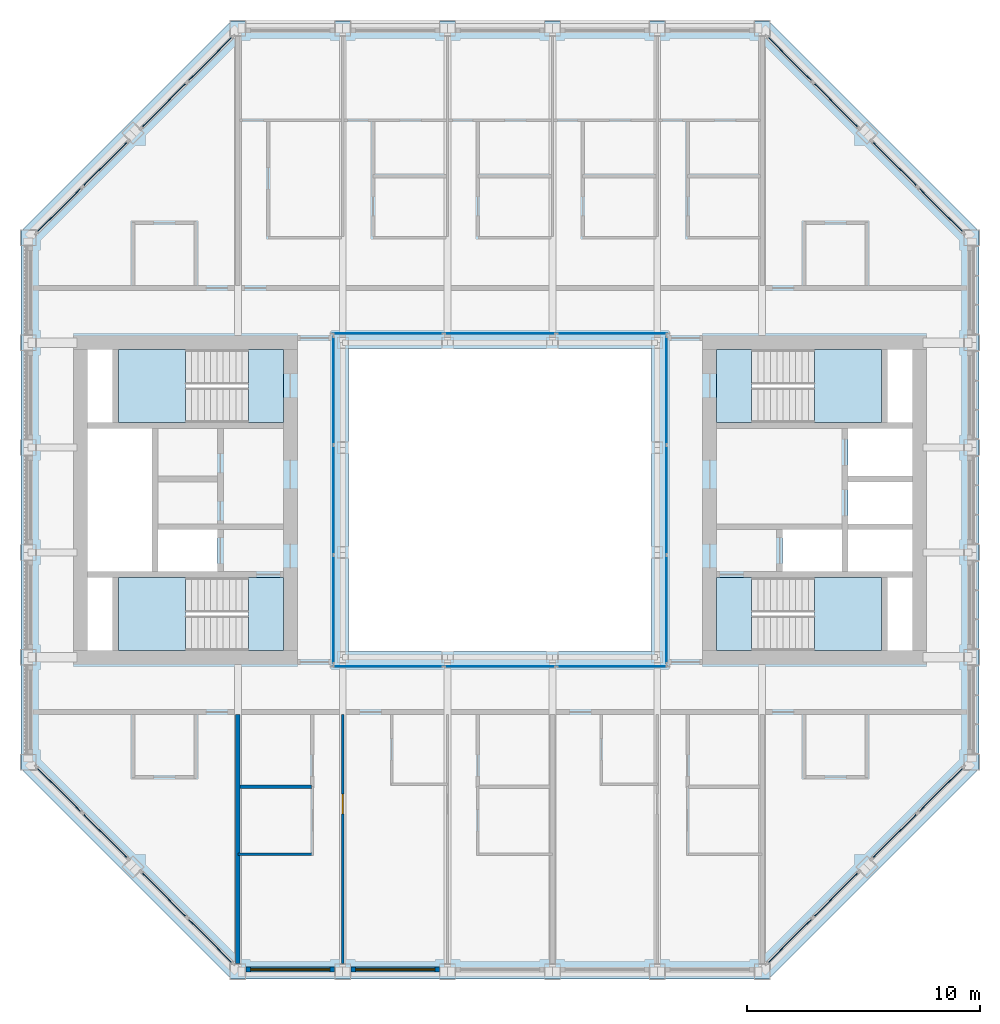
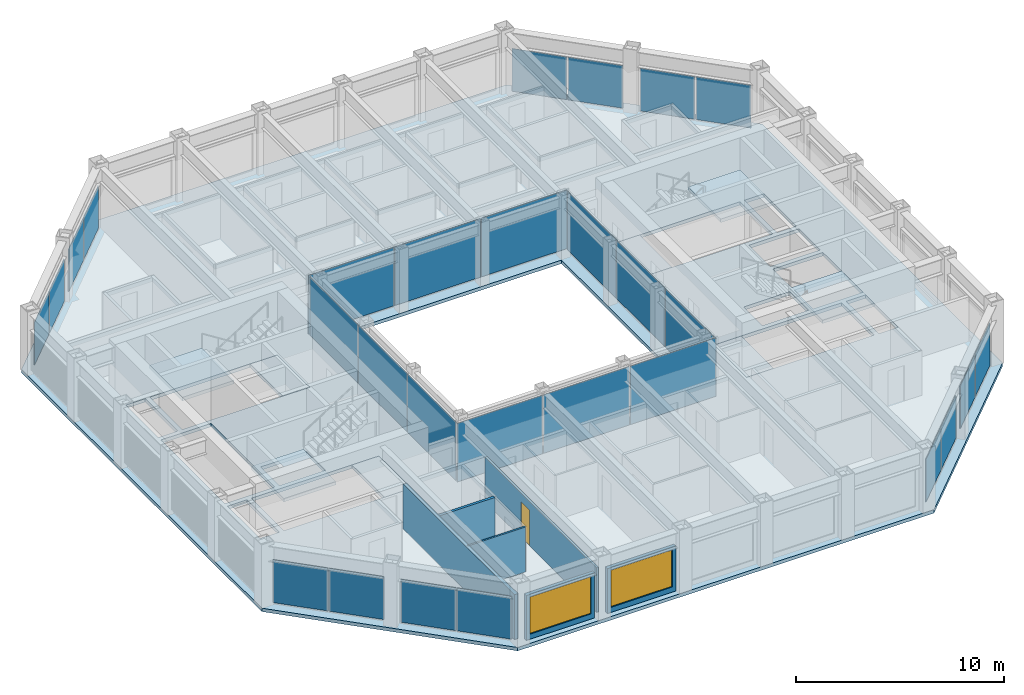
# One storey, part 8 of 18: 28 plates, 9 slabs, 6 walls, 2 windows, 1 door, 3 openings, 16 elements without a shape of their own.
"""IFC4 building model written with IfcOpenShell, lengths in metres."""

from ifc_helpers import new_model, si_unit, direction, frame, frame_2d, origin, origin_2d, place, context, subcontext, project, spatial, polyline, rectangle, outline, extrude, material, layer, layer_set, type_object, element, fill, aggregate, save


model = new_model("IFC4")

# Units and contexts
model_context = context("Model", 3, precision=1e-05, world=origin(), true_north=direction((0.0, 1.0)))
body_context = subcontext(model_context, "Body", "Model", "MODEL_VIEW")
ifc_project = project(units=[si_unit("LENGTHUNIT", "METRE"), si_unit("AREAUNIT", "SQUARE_METRE"), si_unit("VOLUMEUNIT", "CUBIC_METRE"), si_unit("PLANEANGLEUNIT", "RADIAN"), si_unit("MASSUNIT", "GRAM", prefix="KILO")], contexts=[model_context])

# Site, building, storey
site_placement = place(None, origin())
site = spatial("IfcSite", under=ifc_project, at=site_placement, CompositionType="ELEMENT")
building_placement = place(site_placement, origin())
building = spatial("IfcBuilding", under=site, at=building_placement, Name="Msasa Ring Tower", CompositionType="ELEMENT")
storey_placement = place(building_placement, frame((0.0, 0.0, 249.550048828125)))
storey = spatial("IfcBuildingStorey", under=building, at=storey_placement, Name="L65", CompositionType="ELEMENT", Elevation=249.550048828125)

# Curtain wall, plates
ifc_material_1 = material(Name="Aluminium curtain wall with clear glass", Category="aluminium")
curtain_wall_type_1 = type_object("IfcCurtainWallType", Name="CW-C CHAMFER CORNER CURTAIN WALL", PredefinedType="NOTDEFINED", material=ifc_material_1)
curtain_wall_1_placement = place(storey_placement, origin())
curtain_wall_1 = element("IfcCurtainWall", 1, at=curtain_wall_1_placement, inside=storey, type_object=curtain_wall_type_1, Name="Chamfer corner curtain wall SE L65", PredefinedType="NOTDEFINED")
ifc_material_2 = material(Name="Clear laminated insulating glass unit", Category="glass")
ifc_layer_1 = layer(ifc_material_2, 0.031982421875)
ifc_layer_set_1 = layer_set([ifc_layer_1], Name="CW-C GLASS PANEL 32")
plate_type_1 = type_object("IfcPlateType", Name="CW-C GLASS PANEL 32", PredefinedType="CURTAIN_PANEL", material=ifc_layer_set_1)
plate_1_placement = place(storey_placement, frame((12.44140625, -18.917236328125, 0.06494140625), z_axis=(0.0, 0.0, 1.0), x_axis=(0.707106781187, 0.707106781187, 0.0)))
plate_1 = element("IfcPlate", 2, at=plate_1_placement, type_object=plate_type_1, Name="CW-C panel 1.1", PredefinedType="CURTAIN_PANEL", context=body_context, shape_type="SweptSolid", body=[
    extrude(rectangle(XDim=2.7294921875, YDim=0.031982421875, at=origin_2d()), origin(), (0.0, 0.0, 1.0), 2.4990234375),
])
plate_2_placement = place(storey_placement, frame((14.417236328125, -16.94140625, 0.06494140625), z_axis=(0.0, 0.0, 1.0), x_axis=(0.707106781187, 0.707106781187, 0.0)))
plate_2 = element("IfcPlate", 3, at=plate_2_placement, type_object=plate_type_1, Name="CW-C panel 2.1", PredefinedType="CURTAIN_PANEL", context=body_context, shape_type="SweptSolid", body=[
    extrude(rectangle(XDim=2.7294921875, YDim=0.031982421875, at=origin_2d()), origin(), (0.0, 0.0, 1.0), 2.4990234375),
])
aggregate(curtain_wall_1, [plate_1, plate_2])

curtain_wall_2_placement = place(storey_placement, origin())
curtain_wall_2 = element("IfcCurtainWall", 4, at=curtain_wall_2_placement, inside=storey, type_object=curtain_wall_type_1, Name="Chamfer corner curtain wall SE L65", PredefinedType="NOTDEFINED")
plate_3_placement = place(storey_placement, frame((16.94140625, -14.417236328125, 0.06494140625), z_axis=(0.0, 0.0, 1.0), x_axis=(0.707106781187, 0.707106781187, 0.0)))
plate_3 = element("IfcPlate", 5, at=plate_3_placement, type_object=plate_type_1, Name="CW-C panel 1.1", PredefinedType="CURTAIN_PANEL", context=body_context, shape_type="SweptSolid", body=[
    extrude(rectangle(XDim=2.7294921875, YDim=0.031982421875, at=origin_2d()), origin(), (0.0, 0.0, 1.0), 2.4990234375),
])
plate_4_placement = place(storey_placement, frame((18.917236328125, -12.44140625, 0.06494140625), z_axis=(0.0, 0.0, 1.0), x_axis=(0.707106781187, 0.707106781187, 0.0)))
plate_4 = element("IfcPlate", 6, at=plate_4_placement, type_object=plate_type_1, Name="CW-C panel 2.1", PredefinedType="CURTAIN_PANEL", context=body_context, shape_type="SweptSolid", body=[
    extrude(rectangle(XDim=2.7294921875, YDim=0.031982421875, at=origin_2d()), origin(), (0.0, 0.0, 1.0), 2.4990234375),
])
aggregate(curtain_wall_2, [plate_3, plate_4])

curtain_wall_3_placement = place(storey_placement, origin())
curtain_wall_3 = element("IfcCurtainWall", 7, at=curtain_wall_3_placement, inside=storey, type_object=curtain_wall_type_1, Name="Chamfer corner curtain wall NE L65", PredefinedType="NOTDEFINED")
plate_5_placement = place(storey_placement, frame((14.417236328125, 16.94140625, 0.06494140625), z_axis=(0.0, 0.0, 1.0), x_axis=(-0.707106781187, 0.707106781187, 0.0)))
plate_5 = element("IfcPlate", 8, at=plate_5_placement, type_object=plate_type_1, Name="CW-C panel 1.1", PredefinedType="CURTAIN_PANEL", context=body_context, shape_type="SweptSolid", body=[
    extrude(rectangle(XDim=2.7294921875, YDim=0.031982421875, at=origin_2d()), origin(), (0.0, 0.0, 1.0), 2.4990234375),
])
plate_6_placement = place(storey_placement, frame((12.44140625, 18.917236328125, 0.06494140625), z_axis=(0.0, 0.0, 1.0), x_axis=(-0.707106781187, 0.707106781187, 0.0)))
plate_6 = element("IfcPlate", 9, at=plate_6_placement, type_object=plate_type_1, Name="CW-C panel 2.1", PredefinedType="CURTAIN_PANEL", context=body_context, shape_type="SweptSolid", body=[
    extrude(rectangle(XDim=2.7294921875, YDim=0.031982421875, at=origin_2d()), origin(), (0.0, 0.0, 1.0), 2.4990234375),
])
aggregate(curtain_wall_3, [plate_5, plate_6])

curtain_wall_4_placement = place(storey_placement, origin())
curtain_wall_4 = element("IfcCurtainWall", 10, at=curtain_wall_4_placement, inside=storey, type_object=curtain_wall_type_1, Name="Chamfer corner curtain wall NE L65", PredefinedType="NOTDEFINED")
plate_7_placement = place(storey_placement, frame((18.917236328125, 12.44140625, 0.06494140625), z_axis=(0.0, 0.0, 1.0), x_axis=(-0.707106781187, 0.707106781187, 0.0)))
plate_7 = element("IfcPlate", 11, at=plate_7_placement, type_object=plate_type_1, Name="CW-C panel 1.1", PredefinedType="CURTAIN_PANEL", context=body_context, shape_type="SweptSolid", body=[
    extrude(rectangle(XDim=2.7294921875, YDim=0.031982421875, at=origin_2d()), origin(), (0.0, 0.0, 1.0), 2.4990234375),
])
plate_8_placement = place(storey_placement, frame((16.94140625, 14.417236328125, 0.06494140625), z_axis=(0.0, 0.0, 1.0), x_axis=(-0.707106781187, 0.707106781187, 0.0)))
plate_8 = element("IfcPlate", 12, at=plate_8_placement, type_object=plate_type_1, Name="CW-C panel 2.1", PredefinedType="CURTAIN_PANEL", context=body_context, shape_type="SweptSolid", body=[
    extrude(rectangle(XDim=2.7294921875, YDim=0.031982421875, at=origin_2d()), origin(), (0.0, 0.0, 1.0), 2.4990234375),
])
aggregate(curtain_wall_4, [plate_7, plate_8])

curtain_wall_5_placement = place(storey_placement, origin())
curtain_wall_5 = element("IfcCurtainWall", 13, at=curtain_wall_5_placement, inside=storey, type_object=curtain_wall_type_1, Name="Chamfer corner curtain wall NW L65", PredefinedType="NOTDEFINED")
plate_9_placement = place(storey_placement, frame((-16.94140625, 14.417236328125, 0.06494140625), z_axis=(0.0, 0.0, 1.0), x_axis=(-0.707106781187, -0.707106781187, 0.0)))
plate_9 = element("IfcPlate", 14, at=plate_9_placement, type_object=plate_type_1, Name="CW-C panel 1.1", PredefinedType="CURTAIN_PANEL", context=body_context, shape_type="SweptSolid", body=[
    extrude(rectangle(XDim=2.7294921875, YDim=0.031982421875, at=origin_2d()), origin(), (0.0, 0.0, 1.0), 2.4990234375),
])
plate_10_placement = place(storey_placement, frame((-18.917236328125, 12.44140625, 0.06494140625), z_axis=(0.0, 0.0, 1.0), x_axis=(-0.707106781187, -0.707106781187, 0.0)))
plate_10 = element("IfcPlate", 15, at=plate_10_placement, type_object=plate_type_1, Name="CW-C panel 2.1", PredefinedType="CURTAIN_PANEL", context=body_context, shape_type="SweptSolid", body=[
    extrude(rectangle(XDim=2.7294921875, YDim=0.031982421875, at=origin_2d()), origin(), (0.0, 0.0, 1.0), 2.4990234375),
])
aggregate(curtain_wall_5, [plate_9, plate_10])

curtain_wall_6_placement = place(storey_placement, origin())
curtain_wall_6 = element("IfcCurtainWall", 16, at=curtain_wall_6_placement, inside=storey, type_object=curtain_wall_type_1, Name="Chamfer corner curtain wall NW L65", PredefinedType="NOTDEFINED")
plate_11_placement = place(storey_placement, frame((-12.44140625, 18.917236328125, 0.06494140625), z_axis=(0.0, 0.0, 1.0), x_axis=(-0.707106781187, -0.707106781187, 0.0)))
plate_11 = element("IfcPlate", 17, at=plate_11_placement, type_object=plate_type_1, Name="CW-C panel 1.1", PredefinedType="CURTAIN_PANEL", context=body_context, shape_type="SweptSolid", body=[
    extrude(rectangle(XDim=2.7294921875, YDim=0.031982421875, at=origin_2d()), origin(), (0.0, 0.0, 1.0), 2.4990234375),
])
plate_12_placement = place(storey_placement, frame((-14.417236328125, 16.94140625, 0.06494140625), z_axis=(0.0, 0.0, 1.0), x_axis=(-0.707106781187, -0.707106781187, 0.0)))
plate_12 = element("IfcPlate", 18, at=plate_12_placement, type_object=plate_type_1, Name="CW-C panel 2.1", PredefinedType="CURTAIN_PANEL", context=body_context, shape_type="SweptSolid", body=[
    extrude(rectangle(XDim=2.7294921875, YDim=0.031982421875, at=origin_2d()), origin(), (0.0, 0.0, 1.0), 2.4990234375),
])
aggregate(curtain_wall_6, [plate_11, plate_12])

curtain_wall_7_placement = place(storey_placement, origin())
curtain_wall_7 = element("IfcCurtainWall", 19, at=curtain_wall_7_placement, inside=storey, type_object=curtain_wall_type_1, Name="Chamfer corner curtain wall SW L65", PredefinedType="NOTDEFINED")
plate_13_placement = place(storey_placement, frame((-18.917236328125, -12.44140625, 0.06494140625), z_axis=(0.0, 0.0, 1.0), x_axis=(0.707106781187, -0.707106781187, 0.0)))
plate_13 = element("IfcPlate", 20, at=plate_13_placement, type_object=plate_type_1, Name="CW-C panel 1.1", PredefinedType="CURTAIN_PANEL", context=body_context, shape_type="SweptSolid", body=[
    extrude(rectangle(XDim=2.7294921875, YDim=0.031982421875, at=origin_2d()), origin(), (0.0, 0.0, 1.0), 2.4990234375),
])
plate_14_placement = place(storey_placement, frame((-16.94140625, -14.417236328125, 0.06494140625), z_axis=(0.0, 0.0, 1.0), x_axis=(0.707106781187, -0.707106781187, 0.0)))
plate_14 = element("IfcPlate", 21, at=plate_14_placement, type_object=plate_type_1, Name="CW-C panel 2.1", PredefinedType="CURTAIN_PANEL", context=body_context, shape_type="SweptSolid", body=[
    extrude(rectangle(XDim=2.7294921875, YDim=0.031982421875, at=origin_2d()), origin(), (0.0, 0.0, 1.0), 2.4990234375),
])
aggregate(curtain_wall_7, [plate_13, plate_14])

curtain_wall_8_placement = place(storey_placement, origin())
curtain_wall_8 = element("IfcCurtainWall", 22, at=curtain_wall_8_placement, inside=storey, type_object=curtain_wall_type_1, Name="Chamfer corner curtain wall SW L65", PredefinedType="NOTDEFINED")
plate_15_placement = place(storey_placement, frame((-14.417236328125, -16.94140625, 0.06494140625), z_axis=(0.0, 0.0, 1.0), x_axis=(0.707106781187, -0.707106781187, 0.0)))
plate_15 = element("IfcPlate", 23, at=plate_15_placement, type_object=plate_type_1, Name="CW-C panel 1.1", PredefinedType="CURTAIN_PANEL", context=body_context, shape_type="SweptSolid", body=[
    extrude(rectangle(XDim=2.7294921875, YDim=0.031982421875, at=origin_2d()), origin(), (0.0, 0.0, 1.0), 2.4990234375),
])
plate_16_placement = place(storey_placement, frame((-12.44140625, -18.917236328125, 0.06494140625), z_axis=(0.0, 0.0, 1.0), x_axis=(0.707106781187, -0.707106781187, 0.0)))
plate_16 = element("IfcPlate", 24, at=plate_16_placement, type_object=plate_type_1, Name="CW-C panel 2.1", PredefinedType="CURTAIN_PANEL", context=body_context, shape_type="SweptSolid", body=[
    extrude(rectangle(XDim=2.7294921875, YDim=0.031982421875, at=origin_2d()), origin(), (0.0, 0.0, 1.0), 2.4990234375),
])
aggregate(curtain_wall_8, [plate_15, plate_16])

ifc_material_3 = material(Name="Aluminium curtain wall with clear glass", Category="aluminium")
curtain_wall_type_2 = type_object("IfcCurtainWallType", Name="CW-W LIGHT WELL CURTAIN WALL", PredefinedType="NOTDEFINED", material=ifc_material_3)
curtain_wall_9_placement = place(storey_placement, origin())
curtain_wall_9 = element("IfcCurtainWall", 25, at=curtain_wall_9_placement, inside=storey, type_object=curtain_wall_type_2, Name="Light well curtain wall N L65", PredefinedType="NOTDEFINED")
ifc_material_4 = material(Name="Clear laminated insulating glass unit", Category="glass")
ifc_layer_2 = layer(ifc_material_4, 0.028076171875)
ifc_layer_set_2 = layer_set([ifc_layer_2], Name="CW-W GLASS PANEL 28")
plate_type_2 = type_object("IfcPlateType", Name="CW-W GLASS PANEL 28", PredefinedType="CURTAIN_PANEL", material=ifc_layer_set_2)
plate_17_placement = place(storey_placement, frame((-4.804931640625, 7.14990234375, 0.06005859375), z_axis=(0.0, 0.0, 1.0), x_axis=(1.0, 0.0, 0.0)))
plate_17 = element("IfcPlate", 26, at=plate_17_placement, type_object=plate_type_2, Name="CW-W panel 1.1", PredefinedType="CURTAIN_PANEL", context=body_context, shape_type="SweptSolid", body=[
    extrude(rectangle(XDim=4.72998046875, YDim=0.028076171875, at=origin_2d()), origin(), (0.0, 0.0, 1.0), 3.429931640625),
])
plate_18_placement = place(storey_placement, frame((0.0, 7.14990234375, 0.06005859375), z_axis=(0.0, 0.0, 1.0), x_axis=(1.0, 0.0, 0.0)))
plate_18 = element("IfcPlate", 27, at=plate_18_placement, type_object=plate_type_2, Name="CW-W panel 2.1", PredefinedType="CURTAIN_PANEL", context=body_context, shape_type="SweptSolid", body=[
    extrude(rectangle(XDim=4.760009765625, YDim=0.028076171875, at=origin_2d()), origin(), (0.0, 0.0, 1.0), 3.429931640625),
])
plate_19_placement = place(storey_placement, frame((4.804931640625, 7.14990234375, 0.06005859375), z_axis=(0.0, 0.0, 1.0), x_axis=(1.0, 0.0, 0.0)))
plate_19 = element("IfcPlate", 28, at=plate_19_placement, type_object=plate_type_2, Name="CW-W panel 3.1", PredefinedType="CURTAIN_PANEL", context=body_context, shape_type="SweptSolid", body=[
    extrude(rectangle(XDim=4.72998046875, YDim=0.028076171875, at=origin_2d()), origin(), (0.0, 0.0, 1.0), 3.429931640625),
])
aggregate(curtain_wall_9, [plate_17, plate_18, plate_19])

curtain_wall_10_placement = place(storey_placement, origin())
curtain_wall_10 = element("IfcCurtainWall", 29, at=curtain_wall_10_placement, inside=storey, type_object=curtain_wall_type_2, Name="Light well curtain wall S L65", PredefinedType="NOTDEFINED")
plate_20_placement = place(storey_placement, frame((-4.804931640625, -7.14990234375, 0.06005859375), z_axis=(0.0, 0.0, 1.0), x_axis=(1.0, 0.0, 0.0)))
plate_20 = element("IfcPlate", 30, at=plate_20_placement, type_object=plate_type_2, Name="CW-W panel 1.1", PredefinedType="CURTAIN_PANEL", context=body_context, shape_type="SweptSolid", body=[
    extrude(rectangle(XDim=4.72998046875, YDim=0.028076171875, at=origin_2d()), origin(), (0.0, 0.0, 1.0), 3.429931640625),
])
plate_21_placement = place(storey_placement, frame((0.0, -7.14990234375, 0.06005859375), z_axis=(0.0, 0.0, 1.0), x_axis=(1.0, 0.0, 0.0)))
plate_21 = element("IfcPlate", 31, at=plate_21_placement, type_object=plate_type_2, Name="CW-W panel 2.1", PredefinedType="CURTAIN_PANEL", context=body_context, shape_type="SweptSolid", body=[
    extrude(rectangle(XDim=4.760009765625, YDim=0.028076171875, at=origin_2d()), origin(), (0.0, 0.0, 1.0), 3.429931640625),
])
plate_22_placement = place(storey_placement, frame((4.804931640625, -7.14990234375, 0.06005859375), z_axis=(0.0, 0.0, 1.0), x_axis=(1.0, 0.0, 0.0)))
plate_22 = element("IfcPlate", 32, at=plate_22_placement, type_object=plate_type_2, Name="CW-W panel 3.1", PredefinedType="CURTAIN_PANEL", context=body_context, shape_type="SweptSolid", body=[
    extrude(rectangle(XDim=4.72998046875, YDim=0.028076171875, at=origin_2d()), origin(), (0.0, 0.0, 1.0), 3.429931640625),
])
aggregate(curtain_wall_10, [plate_20, plate_21, plate_22])

curtain_wall_11_placement = place(storey_placement, origin())
curtain_wall_11 = element("IfcCurtainWall", 33, at=curtain_wall_11_placement, inside=storey, type_object=curtain_wall_type_2, Name="Light well curtain wall E L65", PredefinedType="NOTDEFINED")
plate_23_placement = place(storey_placement, frame((7.14990234375, -4.6982421875, 0.06005859375), z_axis=(0.0, 0.0, 1.0), x_axis=(0.0, 1.0, 0.0)))
plate_23 = element("IfcPlate", 34, at=plate_23_placement, type_object=plate_type_2, Name="CW-W panel 1.1", PredefinedType="CURTAIN_PANEL", context=body_context, shape_type="SweptSolid", body=[
    extrude(rectangle(XDim=4.623291015625, YDim=0.028076171875, at=origin_2d()), origin(), (0.0, 0.0, 1.0), 3.429931640625),
])
plate_24_placement = place(storey_placement, frame((7.14990234375, 0.0, 0.06005859375), z_axis=(0.0, 0.0, 1.0), x_axis=(0.0, 1.0, 0.0)))
plate_24 = element("IfcPlate", 35, at=plate_24_placement, type_object=plate_type_2, Name="CW-W panel 2.1", PredefinedType="CURTAIN_PANEL", context=body_context, shape_type="SweptSolid", body=[
    extrude(rectangle(XDim=4.6533203125, YDim=0.028076171875, at=origin_2d()), origin(), (0.0, 0.0, 1.0), 3.429931640625),
])
plate_25_placement = place(storey_placement, frame((7.14990234375, 4.6982421875, 0.06005859375), z_axis=(0.0, 0.0, 1.0), x_axis=(0.0, 1.0, 0.0)))
plate_25 = element("IfcPlate", 36, at=plate_25_placement, type_object=plate_type_2, Name="CW-W panel 3.1", PredefinedType="CURTAIN_PANEL", context=body_context, shape_type="SweptSolid", body=[
    extrude(rectangle(XDim=4.623291015625, YDim=0.028076171875, at=origin_2d()), origin(), (0.0, 0.0, 1.0), 3.429931640625),
])
aggregate(curtain_wall_11, [plate_23, plate_24, plate_25])

curtain_wall_12_placement = place(storey_placement, origin())
curtain_wall_12 = element("IfcCurtainWall", 37, at=curtain_wall_12_placement, inside=storey, type_object=curtain_wall_type_2, Name="Light well curtain wall W L65", PredefinedType="NOTDEFINED")
plate_26_placement = place(storey_placement, frame((-7.14990234375, -4.6982421875, 0.06005859375), z_axis=(0.0, 0.0, 1.0), x_axis=(0.0, 1.0, 0.0)))
plate_26 = element("IfcPlate", 38, at=plate_26_placement, type_object=plate_type_2, Name="CW-W panel 1.1", PredefinedType="CURTAIN_PANEL", context=body_context, shape_type="SweptSolid", body=[
    extrude(rectangle(XDim=4.623291015625, YDim=0.028076171875, at=origin_2d()), origin(), (0.0, 0.0, 1.0), 3.429931640625),
])
plate_27_placement = place(storey_placement, frame((-7.14990234375, 0.0, 0.06005859375), z_axis=(0.0, 0.0, 1.0), x_axis=(0.0, 1.0, 0.0)))
plate_27 = element("IfcPlate", 39, at=plate_27_placement, type_object=plate_type_2, Name="CW-W panel 2.1", PredefinedType="CURTAIN_PANEL", context=body_context, shape_type="SweptSolid", body=[
    extrude(rectangle(XDim=4.6533203125, YDim=0.028076171875, at=origin_2d()), origin(), (0.0, 0.0, 1.0), 3.429931640625),
])
plate_28_placement = place(storey_placement, frame((-7.14990234375, 4.6982421875, 0.06005859375), z_axis=(0.0, 0.0, 1.0), x_axis=(0.0, 1.0, 0.0)))
plate_28 = element("IfcPlate", 40, at=plate_28_placement, type_object=plate_type_2, Name="CW-W panel 3.1", PredefinedType="CURTAIN_PANEL", context=body_context, shape_type="SweptSolid", body=[
    extrude(rectangle(XDim=4.623291015625, YDim=0.028076171875, at=origin_2d()), origin(), (0.0, 0.0, 1.0), 3.429931640625),
])
aggregate(curtain_wall_12, [plate_26, plate_27, plate_28])

# Stair, slabs
ifc_material_5 = material(Name="Concrete C40/50", Category="concrete")
stair_type = type_object("IfcStairType", Name="STC CORE STAIR 22 RISERS 170.5", PredefinedType="HALF_TURN_STAIR", material=ifc_material_5)
stair_1_placement = place(storey_placement, origin())
stair_1 = element("IfcStair", 41, at=stair_1_placement, inside=storey, type_object=stair_type, Name="Core stair SEA L65", PredefinedType="HALF_TURN_STAIR")
ifc_material_6 = material(Name="Concrete C40/50", Category="concrete")
ifc_layer_3 = layer(ifc_material_6, 0.199951171875)
ifc_layer_set_3 = layer_set([ifc_layer_3], Name="LD1 CORE STAIR LANDING 200")
slab_type_1 = type_object("IfcSlabType", Name="LD1 CORE STAIR LANDING 200", PredefinedType="LANDING", material=ifc_layer_set_3)
slab_1_placement = place(storey_placement, frame((0.0, 0.0, -0.199951171875)))
slab_1 = element("IfcSlab", 42, at=slab_1_placement, type_object=slab_type_1, Name="SEA landing 1", PredefinedType="LANDING", context=body_context, shape_type="SweptSolid", body=[
    extrude(outline(polyline([(9.300048828125, -6.449951171875), (10.800048828125, -6.449951171875), (10.800048828125, -3.324951171875), (9.300048828125, -3.324951171875), (9.300048828125, -6.449951171875)])), origin(), (0.0, 0.0, 1.0), 0.199951171875),
])
slab_2_placement = place(storey_placement, frame((0.0, 0.0, 1.675048828125)))
slab_2 = element("IfcSlab", 43, at=slab_2_placement, type_object=slab_type_1, Name="SEA landing 2", PredefinedType="LANDING", context=body_context, shape_type="SweptSolid", body=[
    extrude(outline(polyline([(13.5, -6.449951171875), (16.375, -6.449951171875), (16.375, -3.324951171875), (13.5, -3.324951171875), (13.5, -6.449951171875)])), origin(), (0.0, 0.0, 1.0), 0.199951171875),
])
aggregate(stair_1, [slab_1, slab_2])

stair_2_placement = place(storey_placement, origin())
stair_2 = element("IfcStair", 44, at=stair_2_placement, inside=storey, type_object=stair_type, Name="Core stair SEB L65", PredefinedType="HALF_TURN_STAIR")
slab_3_placement = place(storey_placement, frame((0.0, 0.0, -0.199951171875)))
slab_3 = element("IfcSlab", 45, at=slab_3_placement, type_object=slab_type_1, Name="SEB landing 1", PredefinedType="LANDING", context=body_context, shape_type="SweptSolid", body=[
    extrude(outline(polyline([(9.300048828125, 3.324951171875), (10.800048828125, 3.324951171875), (10.800048828125, 6.449951171875), (9.300048828125, 6.449951171875), (9.300048828125, 3.324951171875)])), origin(), (0.0, 0.0, 1.0), 0.199951171875),
])
slab_4_placement = place(storey_placement, frame((0.0, 0.0, 1.675048828125)))
slab_4 = element("IfcSlab", 46, at=slab_4_placement, type_object=slab_type_1, Name="SEB landing 2", PredefinedType="LANDING", context=body_context, shape_type="SweptSolid", body=[
    extrude(outline(polyline([(13.5, 3.324951171875), (16.375, 3.324951171875), (16.375, 6.449951171875), (13.5, 6.449951171875), (13.5, 3.324951171875)])), origin(), (0.0, 0.0, 1.0), 0.199951171875),
])
aggregate(stair_2, [slab_3, slab_4])

stair_3_placement = place(storey_placement, origin())
stair_3 = element("IfcStair", 47, at=stair_3_placement, inside=storey, type_object=stair_type, Name="Core stair SWA L65", PredefinedType="HALF_TURN_STAIR")
slab_5_placement = place(storey_placement, frame((0.0, 0.0, -0.199951171875)))
slab_5 = element("IfcSlab", 48, at=slab_5_placement, type_object=slab_type_1, Name="SWA landing 1", PredefinedType="LANDING", context=body_context, shape_type="SweptSolid", body=[
    extrude(outline(polyline([(-10.800048828125, -6.449951171875), (-9.300048828125, -6.449951171875), (-9.300048828125, -3.324951171875), (-10.800048828125, -3.324951171875), (-10.800048828125, -6.449951171875)])), origin(), (0.0, 0.0, 1.0), 0.199951171875),
])
slab_6_placement = place(storey_placement, frame((0.0, 0.0, 1.675048828125)))
slab_6 = element("IfcSlab", 49, at=slab_6_placement, type_object=slab_type_1, Name="SWA landing 2", PredefinedType="LANDING", context=body_context, shape_type="SweptSolid", body=[
    extrude(outline(polyline([(-16.375, -6.449951171875), (-13.5, -6.449951171875), (-13.5, -3.324951171875), (-16.375, -3.324951171875), (-16.375, -6.449951171875)])), origin(), (0.0, 0.0, 1.0), 0.199951171875),
])
aggregate(stair_3, [slab_5, slab_6])

stair_4_placement = place(storey_placement, origin())
stair_4 = element("IfcStair", 50, at=stair_4_placement, inside=storey, type_object=stair_type, Name="Core stair SWB L65", PredefinedType="HALF_TURN_STAIR")
slab_7_placement = place(storey_placement, frame((0.0, 0.0, -0.199951171875)))
slab_7 = element("IfcSlab", 51, at=slab_7_placement, type_object=slab_type_1, Name="SWB landing 1", PredefinedType="LANDING", context=body_context, shape_type="SweptSolid", body=[
    extrude(outline(polyline([(-10.800048828125, 3.324951171875), (-9.300048828125, 3.324951171875), (-9.300048828125, 6.449951171875), (-10.800048828125, 6.449951171875), (-10.800048828125, 3.324951171875)])), origin(), (0.0, 0.0, 1.0), 0.199951171875),
])
slab_8_placement = place(storey_placement, frame((0.0, 0.0, 1.675048828125)))
slab_8 = element("IfcSlab", 52, at=slab_8_placement, type_object=slab_type_1, Name="SWB landing 2", PredefinedType="LANDING", context=body_context, shape_type="SweptSolid", body=[
    extrude(outline(polyline([(-16.375, 3.324951171875), (-13.5, 3.324951171875), (-13.5, 6.449951171875), (-16.375, 6.449951171875), (-16.375, 3.324951171875)])), origin(), (0.0, 0.0, 1.0), 0.199951171875),
])
aggregate(stair_4, [slab_7, slab_8])

# Slab
ifc_material_7 = material(Name="Concrete C40/50", Category="concrete")
ifc_layer_4 = layer(ifc_material_7, 0.199951171875)
ifc_layer_set_4 = layer_set([ifc_layer_4], Name="S8 SUITE FLOOR 200")
slab_type_2 = type_object("IfcSlabType", Name="S8 SUITE FLOOR 200", PredefinedType="FLOOR", material=ifc_layer_set_4)
slab_9_placement = place(storey_placement, frame((0.0, 0.0, -0.199951171875)))
element("IfcSlab", 53, at=slab_9_placement, inside=storey, type_object=slab_type_2, Name="Floor slab L65", PredefinedType="FLOOR", context=body_context, shape_type="SweptSolid", body=[
    extrude(outline(polyline([(-11.550048828125, -20.550048828125), (11.550048828125, -20.550048828125), (20.550048828125, -11.550048828125), (20.550048828125, 11.550048828125), (11.550048828125, 20.550048828125), (-11.550048828125, 20.550048828125), (-20.550048828125, 11.550048828125), (-20.550048828125, -11.550048828125), (-11.550048828125, -20.550048828125)]), holes=[polyline([(-6.5, -6.5), (6.5, -6.5), (6.5, 6.5), (-6.5, 6.5), (-6.5, -6.5)]), polyline([(9.300048828125, -6.449951171875), (16.375, -6.449951171875), (16.375, -3.324951171875), (9.300048828125, -3.324951171875), (9.300048828125, -6.449951171875)]), polyline([(9.300048828125, 3.324951171875), (16.375, 3.324951171875), (16.375, 6.449951171875), (9.300048828125, 6.449951171875), (9.300048828125, 3.324951171875)]), polyline([(12.125, -3.074951171875), (14.675048828125, -3.074951171875), (14.675048828125, -1.27490234375), (12.125, -1.27490234375), (12.125, -3.074951171875)]), polyline([(16.625, -6.449951171875), (17.699951171875, -6.449951171875), (17.699951171875, -3.324951171875), (16.625, -3.324951171875), (16.625, -6.449951171875)]), polyline([(16.625, 3.324951171875), (17.699951171875, 3.324951171875), (17.699951171875, 6.449951171875), (16.625, 6.449951171875), (16.625, 3.324951171875)]), polyline([(14.925048828125, -3.074951171875), (17.699951171875, -3.074951171875), (17.699951171875, -1.27490234375), (14.925048828125, -1.27490234375), (14.925048828125, -3.074951171875)]), polyline([(14.925048828125, -1.02490234375), (17.699951171875, -1.02490234375), (17.699951171875, 0.77490234375), (14.925048828125, 0.77490234375), (14.925048828125, -1.02490234375)]), polyline([(14.925048828125, 1.02490234375), (17.699951171875, 1.02490234375), (17.699951171875, 3.074951171875), (14.925048828125, 3.074951171875), (14.925048828125, 1.02490234375)]), polyline([(-16.375, -6.449951171875), (-9.300048828125, -6.449951171875), (-9.300048828125, -3.324951171875), (-16.375, -3.324951171875), (-16.375, -6.449951171875)]), polyline([(-16.375, 3.324951171875), (-9.300048828125, 3.324951171875), (-9.300048828125, 6.449951171875), (-16.375, 6.449951171875), (-16.375, 3.324951171875)]), polyline([(-14.675048828125, -3.074951171875), (-12.125, -3.074951171875), (-12.125, -1.27490234375), (-14.675048828125, -1.27490234375), (-14.675048828125, -3.074951171875)]), polyline([(-17.699951171875, -6.449951171875), (-16.625, -6.449951171875), (-16.625, -3.324951171875), (-17.699951171875, -3.324951171875), (-17.699951171875, -6.449951171875)]), polyline([(-17.699951171875, 3.324951171875), (-16.625, 3.324951171875), (-16.625, 6.449951171875), (-17.699951171875, 6.449951171875), (-17.699951171875, 3.324951171875)]), polyline([(-17.699951171875, -3.074951171875), (-14.925048828125, -3.074951171875), (-14.925048828125, 3.074951171875), (-17.699951171875, 3.074951171875), (-17.699951171875, -3.074951171875)])]), origin(), (0.0, 0.0, 1.0), 0.199951171875),
])

# Wall, opening, window
ifc_material_8 = material(Name="Terracotta rainscreen on blockwork", Category="masonry")
ifc_layer_5 = layer(ifc_material_8, 0.199951171875)
ifc_layer_set_5 = layer_set([ifc_layer_5], Name="FW1 TERRACOTTA-LINED INFILL BAY WALL 200")
wall_type_1 = type_object("IfcWallType", Name="FW1 TERRACOTTA-LINED INFILL BAY WALL 200", PredefinedType="SOLIDWALL", material=ifc_layer_set_5)
wall_1_placement = place(storey_placement, frame((-10.89501953125, -20.14990234375, 0.0), z_axis=(0.0, 0.0, 1.0), x_axis=(1.0, 0.0, 0.0)))
wall_1 = element("IfcWall", 54, at=wall_1_placement, inside=storey, type_object=wall_type_1, Name="Infill bay wall S L65 00", PredefinedType="SOLIDWALL", context=body_context, shape_type="SweptSolid", body=[
    extrude(rectangle(XDim=3.7900390625, YDim=0.199951171875, at=frame_2d((1.89501953125, 0.0))), origin(), (0.0, 0.0, 1.0), 2.62890625),
])
opening_1_placement = place(wall_1_placement, frame((0.195068359375, 0.0, 0.300048828125)))
opening_1 = element("IfcOpeningElement", 55, at=opening_1_placement, cuts=wall_1, Name="Opening WN3", PredefinedType="OPENING", context=body_context, shape_type="SweptSolid", body=[
    extrude(rectangle(XDim=3.39990234375, YDim=2.178955078125, at=frame_2d((1.699951171875, 1.08935546875))), frame((0.0, 0.10986328125, 0.0), z_axis=(0.0, -1.0, 0.0), x_axis=(1.0, 0.0, 0.0)), (0.0, 0.0, 1.0), 0.219970703125),
])
ifc_material_9 = material(Name="Aluminium frame with clear glass", Category="aluminium")
window_type = type_object("IfcWindowType", Name="WN3 SUITE WINDOW 3400x2179", PartitioningType="SINGLE_PANEL", PredefinedType="WINDOW", material=ifc_material_9)
window_1_placement = place(opening_1_placement, origin())
window_1 = element("IfcWindow", 56, at=window_1_placement, inside=storey, type_object=window_type, Name="Window S L65 00", OverallHeight=2.178955078125, OverallWidth=3.39990234375, PartitioningType="SINGLE_PANEL", PredefinedType="WINDOW", context=body_context, shape_type="SweptSolid", body=[
    extrude(rectangle(XDim=3.39990234375, YDim=2.178955078125, at=frame_2d((1.699951171875, 1.08935546875))), frame((0.0, 0.030029296875, 0.0), z_axis=(0.0, -1.0, 0.0), x_axis=(1.0, 0.0, 0.0)), (0.0, 0.0, 1.0), 0.06005859375),
])
fill(opening_1, window_1)

wall_2_placement = place(storey_placement, frame((-6.39501953125, -20.14990234375, 0.0), z_axis=(0.0, 0.0, 1.0), x_axis=(1.0, 0.0, 0.0)))
wall_2 = element("IfcWall", 57, at=wall_2_placement, inside=storey, type_object=wall_type_1, Name="Infill bay wall S L65 01", PredefinedType="SOLIDWALL", context=body_context, shape_type="SweptSolid", body=[
    extrude(rectangle(XDim=3.7900390625, YDim=0.199951171875, at=frame_2d((1.89501953125, 0.0))), origin(), (0.0, 0.0, 1.0), 2.62890625),
])
opening_2_placement = place(wall_2_placement, frame((0.195068359375, 0.0, 0.300048828125)))
opening_2 = element("IfcOpeningElement", 58, at=opening_2_placement, cuts=wall_2, Name="Opening WN3", PredefinedType="OPENING", context=body_context, shape_type="SweptSolid", body=[
    extrude(rectangle(XDim=3.39990234375, YDim=2.178955078125, at=frame_2d((1.699951171875, 1.08935546875))), frame((0.0, 0.10986328125, 0.0), z_axis=(0.0, -1.0, 0.0), x_axis=(1.0, 0.0, 0.0)), (0.0, 0.0, 1.0), 0.219970703125),
])
window_2_placement = place(opening_2_placement, origin())
window_2 = element("IfcWindow", 59, at=window_2_placement, inside=storey, type_object=window_type, Name="Window S L65 01", OverallHeight=2.178955078125, OverallWidth=3.39990234375, PartitioningType="SINGLE_PANEL", PredefinedType="WINDOW", context=body_context, shape_type="SweptSolid", body=[
    extrude(rectangle(XDim=3.39990234375, YDim=2.178955078125, at=frame_2d((1.699951171875, 1.08935546875))), frame((0.0, 0.030029296875, 0.0), z_axis=(0.0, -1.0, 0.0), x_axis=(1.0, 0.0, 0.0)), (0.0, 0.0, 1.0), 0.06005859375),
])
fill(opening_2, window_2)

# Wall, opening, door
ifc_material_10 = material(Name="Gypsum board on steel studs", Category="steel")
ifc_layer_6 = layer(ifc_material_10, 0.10009765625)
ifc_layer_set_6 = layer_set([ifc_layer_6], Name="PT2 STUD PARTITION 100")
wall_type_2 = type_object("IfcWallType", Name="PT2 STUD PARTITION 100", PredefinedType="PARTITIONING", material=ifc_layer_set_6)
wall_3_placement = place(storey_placement, frame((-6.75, -19.89990234375, 0.0), z_axis=(0.0, 0.0, 1.0), x_axis=(0.0, 1.0, 0.0)))
wall_3 = element("IfcWall", 60, at=wall_3_placement, inside=storey, type_object=wall_type_2, Name="Partition L65-JS00P0", PredefinedType="PARTITIONING", context=body_context, shape_type="SweptSolid", body=[
    extrude(rectangle(XDim=10.699951171875, YDim=0.10009765625, at=frame_2d((5.35009765625, 0.0))), origin(), (0.0, 0.0, 1.0), 2.62890625),
])
opening_3_placement = place(wall_3_placement, frame((6.425048828125, 0.0, 0.0)))
opening_3 = element("IfcOpeningElement", 61, at=opening_3_placement, cuts=wall_3, Name="Opening SE-045", PredefinedType="OPENING", context=body_context, shape_type="SweptSolid", body=[
    extrude(rectangle(XDim=0.85009765625, YDim=2.10009765625, at=frame_2d((0.425048828125, 1.050048828125))), frame((0.0, 0.06005859375, 0.0), z_axis=(0.0, -1.0, 0.0), x_axis=(1.0, 0.0, 0.0)), (0.0, 0.0, 1.0), 0.1201171875),
])
ifc_material_11 = material(Name="Timber door leaf in a steel frame", Category="steel")
door_type = type_object("IfcDoorType", Name="D14 BEDROOM DOOR 850x2100", OperationType="SINGLE_SWING_LEFT", PredefinedType="DOOR", material=ifc_material_11)
door_placement = place(opening_3_placement, origin())
door = element("IfcDoor", 62, at=door_placement, inside=storey, type_object=door_type, Name="Door L65-JS00R0", OperationType="SINGLE_SWING_RIGHT", OverallHeight=2.10009765625, OverallWidth=0.85009765625, PredefinedType="DOOR", context=body_context, shape_type="SweptSolid", body=[
    extrude(rectangle(XDim=0.85009765625, YDim=2.10009765625, at=frame_2d((0.425048828125, 1.050048828125))), frame((0.0, 0.02490234375, 0.0), z_axis=(0.0, -1.0, 0.0), x_axis=(1.0, 0.0, 0.0)), (0.0, 0.0, 1.0), 0.050048828125),
])
fill(opening_3, door)

# Walls
wall_4_placement = place(storey_placement, frame((-11.25, -15.199951171875, 0.0), z_axis=(0.0, 0.0, 1.0), x_axis=(1.0, 0.0, 0.0)))
element("IfcWall", 63, at=wall_4_placement, inside=storey, type_object=wall_type_2, Name="Partition L65-JS00DY0", PredefinedType="PARTITIONING", context=body_context, shape_type="SweptSolid", body=[
    extrude(rectangle(XDim=3.199951171875, YDim=0.10009765625, at=frame_2d((1.60009765625, 0.0))), origin(), (0.0, 0.0, 1.0), 2.62890625),
])
ifc_material_12 = material(Name="Dense concrete blockwork, plastered both faces", Category="masonry")
ifc_layer_7 = layer(ifc_material_12, 0.25)
ifc_layer_set_7 = layer_set([ifc_layer_7], Name="PT3 APARTMENT SEPARATING WALL 250")
wall_type_3 = type_object("IfcWallType", Name="PT3 APARTMENT SEPARATING WALL 250", PredefinedType="PARTITIONING", material=ifc_layer_set_7)
wall_5_placement = place(storey_placement, frame((-11.25, -19.89990234375, 0.0), z_axis=(0.0, 0.0, 1.0), x_axis=(0.0, 1.0, 0.0)))
element("IfcWall", 64, at=wall_5_placement, inside=storey, type_object=wall_type_3, Name="Party wall L65-PWS-11.25", PredefinedType="PARTITIONING", context=body_context, shape_type="SweptSolid", body=[
    extrude(rectangle(XDim=10.699951171875, YDim=0.199951171875, at=frame_2d((5.35009765625, 0.0))), origin(), (0.0, 0.0, 1.0), 2.62890625),
])
ifc_material_13 = material(Name="Moisture-resistant board on steel studs with a concealed cistern and pipe void, tiled", Category="steel")
ifc_layer_8 = layer(ifc_material_13, 0.14990234375)
ifc_layer_set_8 = layer_set([ifc_layer_8], Name="PT4 BATHROOM WET WALL 150")
wall_type_4 = type_object("IfcWallType", Name="PT4 BATHROOM WET WALL 150", PredefinedType="PARTITIONING", material=ifc_layer_set_8)
wall_6_placement = place(storey_placement, frame((-11.14990234375, -12.300048828125, 0.0), z_axis=(0.0, 0.0, 1.0), x_axis=(1.0, 0.0, 0.0)))
element("IfcWall", 65, at=wall_6_placement, inside=storey, type_object=wall_type_4, Name="Partition L65-JS00BY0", PredefinedType="PARTITIONING", context=body_context, shape_type="SweptSolid", body=[
    extrude(rectangle(XDim=3.0498046875, YDim=0.14990234375, at=frame_2d((1.52490234375, 0.0))), origin(), (0.0, 0.0, 1.0), 2.62890625),
])

save(model, "model.ifc")
